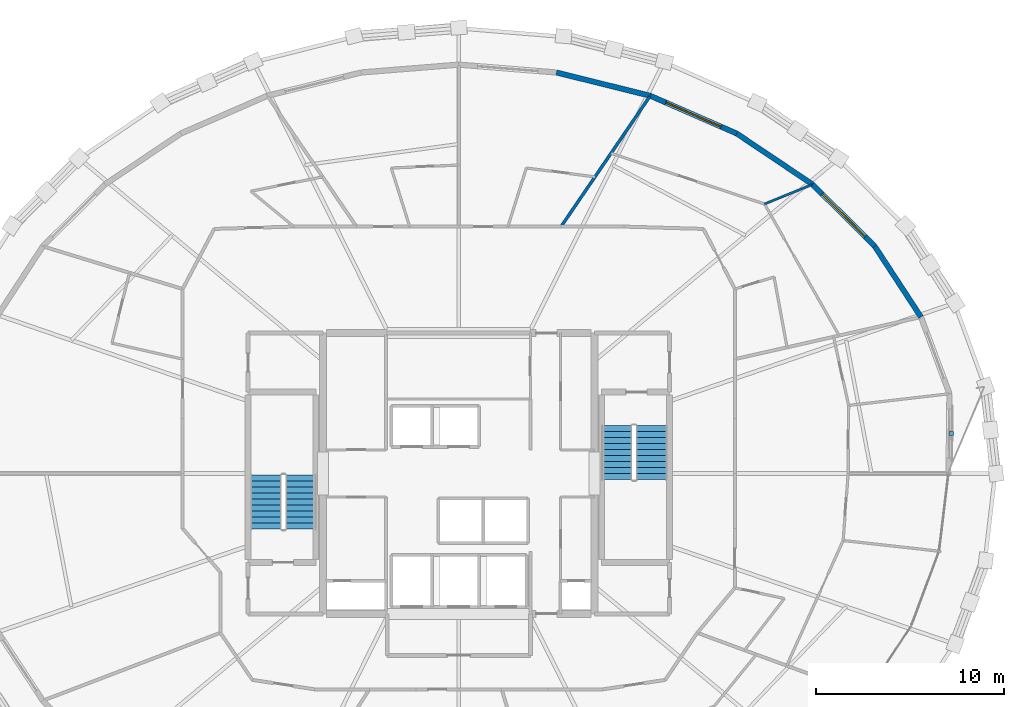
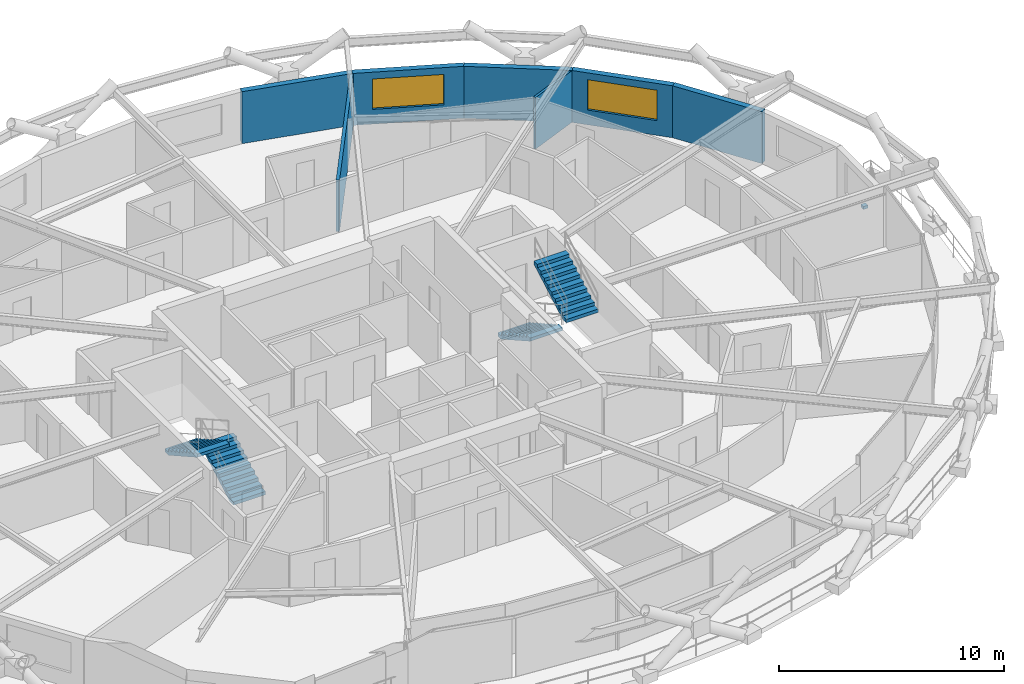
# One storey, part 18 of 21: 7 walls, 4 stair flights, 2 windows, 1 discrete accessory, 2 openings, 2 elements without a shape of their own.
"""IFC4 building model written with IfcOpenShell, lengths in metres."""

from ifc_helpers import new_model, si_unit, direction, frame, frame_2d, origin, origin_2d, place, context, subcontext, project, spatial, polyline, rectangle, outline, extrude, material, layer, layer_set, type_object, element, fill, aggregate, save


model = new_model("IFC4")

# Units and contexts
model_context = context("Model", 3, precision=1e-05, world=origin(), true_north=direction((0.0, 1.0)))
body_context = subcontext(model_context, "Body", "Model", "MODEL_VIEW")
ifc_project = project(units=[si_unit("LENGTHUNIT", "METRE"), si_unit("AREAUNIT", "SQUARE_METRE"), si_unit("VOLUMEUNIT", "CUBIC_METRE"), si_unit("PLANEANGLEUNIT", "RADIAN"), si_unit("MASSUNIT", "GRAM", prefix="KILO")], contexts=[model_context])

# Site, building, storey
site_placement = place(None, origin())
site = spatial("IfcSite", under=ifc_project, at=site_placement, CompositionType="ELEMENT")
building_placement = place(site_placement, origin())
building = spatial("IfcBuilding", under=site, at=building_placement, Name="Veldorina Hangang Commons", CompositionType="ELEMENT")
storey_placement = place(building_placement, frame((0.0, 0.0, 135.199951171875)))
storey = spatial("IfcBuildingStorey", under=building, at=storey_placement, Name="L34", CompositionType="ELEMENT", Elevation=135.199951171875)

# Wall
ifc_material_1 = material(Name="Stone Roman Travertine", Category="masonry")
ifc_layer_1 = layer(ifc_material_1, 0.280029296875)
ifc_layer_set_1 = layer_set([ifc_layer_1], Name="Stone Roman Travertine")
wall_type_1 = type_object("IfcWallType", Name="EW-TRAV-280", PredefinedType="STANDARD", material=ifc_layer_set_1)
wall_1_placement = place(storey_placement, frame((56.52099609375, 32.30078125, 0.0), z_axis=(0.0, 0.0, 1.0), x_axis=(-0.547360926274, 0.83689665813, 0.0)))
element("IfcWall", 1, at=wall_1_placement, inside=storey, type_object=wall_type_1, Name="L34 travertine facade wall 02", PredefinedType="STANDARD", context=body_context, shape_type="SweptSolid", body=[
    extrude(rectangle(XDim=4.48095703125, YDim=0.280029296875, at=frame_2d((2.240478515625, 0.0))), origin(), (0.0, 0.0, 1.0), 2.820068359375),
])

# Wall, opening, window
wall_2_placement = place(storey_placement, frame((54.068359375, 36.05078125, 0.0), z_axis=(0.0, 0.0, 1.0), x_axis=(-0.708572716766, 0.705637800188, 0.0)))
wall_2 = element("IfcWall", 2, at=wall_2_placement, inside=storey, type_object=wall_type_1, Name="L34 travertine facade wall 03", PredefinedType="STANDARD", context=body_context, shape_type="SweptSolid", body=[
    extrude(rectangle(XDim=4.658447265625, YDim=0.280029296875, at=frame_2d((2.3291015625, 0.0))), origin(), (0.0, 0.0, 1.0), 2.820068359375),
])
opening_1_placement = place(wall_2_placement, frame((0.72900390625, 0.0, 0.800048828125)))
opening_1 = element("IfcOpeningElement", 3, at=opening_1_placement, cuts=wall_2, Name="Opening W-01", PredefinedType="OPENING", context=body_context, shape_type="SweptSolid", body=[
    extrude(rectangle(XDim=3.199951171875, YDim=1.64990234375, at=frame_2d((1.60009765625, 0.824951171875))), frame((0.0, 0.14990234375, 0.0), z_axis=(0.0, -1.0, 0.0), x_axis=(1.0, 0.0, 0.0)), (0.0, 0.0, 1.0), 0.300048828125),
])
ifc_material_2 = material(Name="Glass Low-E Triple IGU", Category="glass")
window_type = type_object("IfcWindowType", Name="WIN-TWR-3200", PartitioningType="SINGLE_PANEL", PredefinedType="WINDOW", material=ifc_material_2)
window_1_placement = place(opening_1_placement, origin())
window_1 = element("IfcWindow", 4, at=window_1_placement, inside=storey, type_object=window_type, Name="L34 facade window 03", OverallHeight=1.64990234375, OverallWidth=3.199951171875, PartitioningType="SINGLE_PANEL", PredefinedType="WINDOW", context=body_context, shape_type="SweptSolid", body=[
    extrude(rectangle(XDim=3.199951171875, YDim=1.64990234375, at=frame_2d((1.60009765625, 0.824951171875))), frame((0.0, 0.030029296875, 0.0), z_axis=(0.0, -1.0, 0.0), x_axis=(1.0, 0.0, 0.0)), (0.0, 0.0, 1.0), 0.06005859375),
])
fill(opening_1, window_1)

# Wall
wall_3_placement = place(storey_placement, frame((50.767578125, 39.337890625, 0.0), z_axis=(0.0, 0.0, 1.0), x_axis=(-0.830503660309, 0.557013168797, 0.0)))
element("IfcWall", 5, at=wall_3_placement, inside=storey, type_object=wall_type_1, Name="L34 travertine facade wall 04", PredefinedType="STANDARD", context=body_context, shape_type="SweptSolid", body=[
    extrude(rectangle(XDim=4.8427734375, YDim=0.280029296875, at=frame_2d((2.42138671875, 0.0))), origin(), (0.0, 0.0, 1.0), 2.820068359375),
])

# Wall, opening, window
wall_4_placement = place(storey_placement, frame((46.74560546875, 42.035400390625, 0.0), z_axis=(0.0, 0.0, 1.0), x_axis=(-0.916386582237, 0.400294431507, 0.0)))
wall_4 = element("IfcWall", 6, at=wall_4_placement, inside=storey, type_object=wall_type_1, Name="L34 travertine facade wall 05", PredefinedType="STANDARD", context=body_context, shape_type="SweptSolid", body=[
    extrude(rectangle(XDim=5.00732421875, YDim=0.280029296875, at=frame_2d((2.503662109375, 0.0))), origin(), (0.0, 0.0, 1.0), 2.820068359375),
])
opening_2_placement = place(wall_4_placement, frame((0.90380859375, 0.0, 0.800048828125)))
opening_2 = element("IfcOpeningElement", 7, at=opening_2_placement, cuts=wall_4, Name="Opening W-01", PredefinedType="OPENING", context=body_context, shape_type="SweptSolid", body=[
    extrude(rectangle(XDim=3.199951171875, YDim=1.64990234375, at=frame_2d((1.60009765625, 0.824951171875))), frame((0.0, 0.14990234375, 0.0), z_axis=(0.0, -1.0, 0.0), x_axis=(1.0, 0.0, 0.0)), (0.0, 0.0, 1.0), 0.300048828125),
])
window_2_placement = place(opening_2_placement, origin())
window_2 = element("IfcWindow", 8, at=window_2_placement, inside=storey, type_object=window_type, Name="L34 facade window 05", OverallHeight=1.64990234375, OverallWidth=3.199951171875, PartitioningType="SINGLE_PANEL", PredefinedType="WINDOW", context=body_context, shape_type="SweptSolid", body=[
    extrude(rectangle(XDim=3.199951171875, YDim=1.64990234375, at=frame_2d((1.60009765625, 0.824951171875))), frame((0.0, 0.030029296875, 0.0), z_axis=(0.0, -1.0, 0.0), x_axis=(1.0, 0.0, 0.0)), (0.0, 0.0, 1.0), 0.06005859375),
])
fill(opening_2, window_2)

# Walls
wall_5_placement = place(storey_placement, frame((42.156982421875, 44.039794921875, 0.0), z_axis=(0.0, 0.0, 1.0), x_axis=(-0.970616564694, 0.240631428415, 0.0)))
element("IfcWall", 9, at=wall_5_placement, inside=storey, type_object=wall_type_1, Name="L34 travertine facade wall 06", PredefinedType="STANDARD", context=body_context, shape_type="SweptSolid", body=[
    extrude(rectangle(XDim=5.129638671875, YDim=0.280029296875, at=frame_2d((2.56494140625, 0.0))), origin(), (0.0, 0.0, 1.0), 2.820068359375),
])
ifc_material_3 = material(Name="Gypsum Fire-Rated Twin Stud Wall", Category="gypsum")
ifc_layer_2 = layer(ifc_material_3, 0.159912109375)
ifc_layer_set_2 = layer_set([ifc_layer_2], Name="Gypsum Fire-Rated Twin Stud Wall")
wall_type_2 = type_object("IfcWallType", Name="WL-FIRE-160", PredefinedType="SOLIDWALL", material=ifc_layer_set_2)
wall_6_placement = place(storey_placement, frame((37.42626953125, 37.10009765625, 0.0), z_axis=(0.0, 0.0, 1.0), x_axis=(0.563247896503, 0.826287968619, 0.0)))
element("IfcWall", 10, at=wall_6_placement, inside=storey, type_object=wall_type_2, Name="L34 Unit party wall 06 097", PredefinedType="SOLIDWALL", context=body_context, shape_type="SweptSolid", body=[
    extrude(rectangle(XDim=8.3486328125, YDim=0.159912109375, at=frame_2d((4.17431640625, 0.0))), origin(), (0.0, 0.0, 1.0), 2.800048828125),
])
ifc_material_4 = material(Name="Gypsum Acoustic Stud Partition", Category="gypsum")
ifc_layer_3 = layer(ifc_material_4, 0.1201171875)
ifc_layer_set_3 = layer_set([ifc_layer_3], Name="Gypsum Acoustic Stud Partition")
wall_type_3 = type_object("IfcWallType", Name="WL-PART-120", PredefinedType="PARTITIONING", material=ifc_layer_set_3)
wall_7_placement = place(storey_placement, frame((48.21875, 38.298095703125, 0.0), z_axis=(0.0, 0.0, 1.0), x_axis=(0.925932117974, 0.377689969293, 0.0)))
element("IfcWall", 11, at=wall_7_placement, inside=storey, type_object=wall_type_3, Name="L34 Cluster 3 bed divider 1 096", PredefinedType="PARTITIONING", context=body_context, shape_type="SweptSolid", body=[
    extrude(rectangle(XDim=2.70263671875, YDim=0.1201171875, at=frame_2d((1.351318359375, 0.0))), origin(), (0.0, 0.0, 1.0), 2.800048828125),
])

# Stair, stair flights
ifc_material_5 = material(Name="Concrete C40/50", Category="concrete")
stair_type = type_object("IfcStairType", Name="STR-DOG-1650-20R", PredefinedType="HALF_TURN_STAIR", material=ifc_material_5)
stair_1_placement = place(storey_placement, origin())
stair_1 = element("IfcStair", 12, at=stair_1_placement, inside=storey, type_object=stair_type, Name="L34 Exit stair ST-1", PredefinedType="HALF_TURN_STAIR")
stair_flight_type = type_object("IfcStairFlightType", Name="SFL-STR-1650-20R", PredefinedType="STRAIGHT", material=ifc_material_5)
stair_flight_1_placement = place(storey_placement, frame((23.625, 21.050048828125, 0.0), z_axis=(0.0, 0.0, 1.0), x_axis=(0.0, 1.0, 0.0)))
stair_flight_1 = element("IfcStairFlight", 13, at=stair_flight_1_placement, type_object=stair_flight_type, Name="ST-1 flight 1", NumberOfRisers=10, NumberOfTreads=9, PredefinedType="STRAIGHT", RiserHeight=0.18, TreadLength=0.32, context=body_context, shape_type="SweptSolid", body=[
    extrude(outline(polyline([(0.0, 0.0), (0.0, 0.179931640625), (0.320068359375, 0.179931640625), (0.320068359375, 0.360107421875), (0.639892578125, 0.360107421875), (0.639892578125, 0.5400390625), (0.9599609375, 0.5400390625), (0.9599609375, 0.719970703125), (1.280029296875, 0.719970703125), (1.280029296875, 0.89990234375), (1.60009765625, 0.89990234375), (1.60009765625, 1.080078125), (1.919921875, 1.080078125), (1.919921875, 1.260009765625), (2.239990234375, 1.260009765625), (2.239990234375, 1.43994140625), (2.56005859375, 1.43994140625), (2.56005859375, 1.6201171875), (2.8798828125, 1.6201171875), (2.8798828125, 1.800048828125), (2.8798828125, 1.447998046875), (0.3056640625, 0.0), (0.0, 0.0)])), frame((0.0, 0.824951171875, 0.0), z_axis=(0.0, -1.0, 0.0), x_axis=(1.0, 0.0, 0.0)), (0.0, 0.0, 1.0), 1.64990234375),
])
stair_flight_2_placement = place(storey_placement, frame((21.77490234375, 23.929931640625, 1.800048828125), z_axis=(0.0, 0.0, 1.0), x_axis=(0.0, -1.0, 0.0)))
stair_flight_2 = element("IfcStairFlight", 14, at=stair_flight_2_placement, type_object=stair_flight_type, Name="ST-1 flight 2", NumberOfRisers=10, NumberOfTreads=9, PredefinedType="STRAIGHT", RiserHeight=0.18, TreadLength=0.32, context=body_context, shape_type="SweptSolid", body=[
    extrude(outline(polyline([(0.0, 0.0), (0.0, 0.179931640625), (0.320068359375, 0.179931640625), (0.320068359375, 0.360107421875), (0.639892578125, 0.360107421875), (0.639892578125, 0.5400390625), (0.9599609375, 0.5400390625), (0.9599609375, 0.719970703125), (1.280029296875, 0.719970703125), (1.280029296875, 0.89990234375), (1.60009765625, 0.89990234375), (1.60009765625, 1.080078125), (1.919921875, 1.080078125), (1.919921875, 1.260009765625), (2.239990234375, 1.260009765625), (2.239990234375, 1.43994140625), (2.56005859375, 1.43994140625), (2.56005859375, 1.6201171875), (2.8798828125, 1.6201171875), (2.8798828125, 1.800048828125), (2.8798828125, 1.447998046875), (0.3056640625, 0.0), (0.0, 0.0)])), frame((0.0, 0.824951171875, 0.0), z_axis=(0.0, -1.0, 0.0), x_axis=(1.0, 0.0, 0.0)), (0.0, 0.0, 1.0), 1.64990234375),
])
aggregate(stair_1, [stair_flight_1, stair_flight_2])

stair_2_placement = place(storey_placement, origin())
stair_2 = element("IfcStair", 15, at=stair_2_placement, inside=storey, type_object=stair_type, Name="L34 Exit stair ST-2", PredefinedType="HALF_TURN_STAIR")
stair_flight_3_placement = place(storey_placement, frame((40.375, 26.550048828125, 0.0), z_axis=(0.0, 0.0, 1.0), x_axis=(0.0, -1.0, 0.0)))
stair_flight_3 = element("IfcStairFlight", 16, at=stair_flight_3_placement, type_object=stair_flight_type, Name="ST-2 flight 1", NumberOfRisers=10, NumberOfTreads=9, PredefinedType="STRAIGHT", RiserHeight=0.18, TreadLength=0.32, context=body_context, shape_type="SweptSolid", body=[
    extrude(outline(polyline([(0.0, 0.0), (0.0, 0.179931640625), (0.320068359375, 0.179931640625), (0.320068359375, 0.360107421875), (0.639892578125, 0.360107421875), (0.639892578125, 0.5400390625), (0.9599609375, 0.5400390625), (0.9599609375, 0.719970703125), (1.280029296875, 0.719970703125), (1.280029296875, 0.89990234375), (1.60009765625, 0.89990234375), (1.60009765625, 1.080078125), (1.919921875, 1.080078125), (1.919921875, 1.260009765625), (2.239990234375, 1.260009765625), (2.239990234375, 1.43994140625), (2.56005859375, 1.43994140625), (2.56005859375, 1.6201171875), (2.8798828125, 1.6201171875), (2.8798828125, 1.800048828125), (2.8798828125, 1.447998046875), (0.3056640625, 0.0), (0.0, 0.0)])), frame((0.0, 0.824951171875, 0.0), z_axis=(0.0, -1.0, 0.0), x_axis=(1.0, 0.0, 0.0)), (0.0, 0.0, 1.0), 1.64990234375),
])
stair_flight_4_placement = place(storey_placement, frame((42.22509765625, 23.669921875, 1.800048828125), z_axis=(0.0, 0.0, 1.0), x_axis=(0.0, 1.0, 0.0)))
stair_flight_4 = element("IfcStairFlight", 17, at=stair_flight_4_placement, type_object=stair_flight_type, Name="ST-2 flight 2", NumberOfRisers=10, NumberOfTreads=9, PredefinedType="STRAIGHT", RiserHeight=0.18, TreadLength=0.32, context=body_context, shape_type="SweptSolid", body=[
    extrude(outline(polyline([(0.0, 0.0), (0.0, 0.179931640625), (0.320068359375, 0.179931640625), (0.320068359375, 0.360107421875), (0.639892578125, 0.360107421875), (0.639892578125, 0.5400390625), (0.9599609375, 0.5400390625), (0.9599609375, 0.719970703125), (1.280029296875, 0.719970703125), (1.280029296875, 0.89990234375), (1.60009765625, 0.89990234375), (1.60009765625, 1.080078125), (1.919921875, 1.080078125), (1.919921875, 1.260009765625), (2.239990234375, 1.260009765625), (2.239990234375, 1.43994140625), (2.56005859375, 1.43994140625), (2.56005859375, 1.6201171875), (2.8798828125, 1.6201171875), (2.8798828125, 1.800048828125), (2.8798828125, 1.447998046875), (0.3056640625, 0.0), (0.0, 0.0)])), frame((0.0, 0.824951171875, 0.0), z_axis=(0.0, -1.0, 0.0), x_axis=(1.0, 0.0, 0.0)), (0.0, 0.0, 1.0), 1.64990234375),
])
aggregate(stair_2, [stair_flight_3, stair_flight_4])

# Discrete accessory
ifc_material_6 = material(Name="Stainless Steel Brushed 316", Category="steel")
discrete_accessory_type = type_object("IfcDiscreteAccessoryType", Name="BRK-SCR-SS", PredefinedType="BRACKET", material=ifc_material_6)
discrete_accessory_placement = place(storey_placement, frame((58.126220703125, 26.114501953125, 0.72021484375), z_axis=(0.0, 0.0, 1.0), x_axis=(0.011815604092, 0.999930193313, 0.0)))
element("IfcDiscreteAccessory", 18, at=discrete_accessory_placement, inside=storey, type_object=discrete_accessory_type, Name="L34 solar screen support bracket 00", PredefinedType="BRACKET", context=body_context, shape_type="SweptSolid", body=[
    extrude(rectangle(XDim=0.219970703125, YDim=0.219970703125, at=origin_2d()), origin(), (0.0, 0.0, 1.0), 0.159912109375),
])

save(model, "model.ifc")
